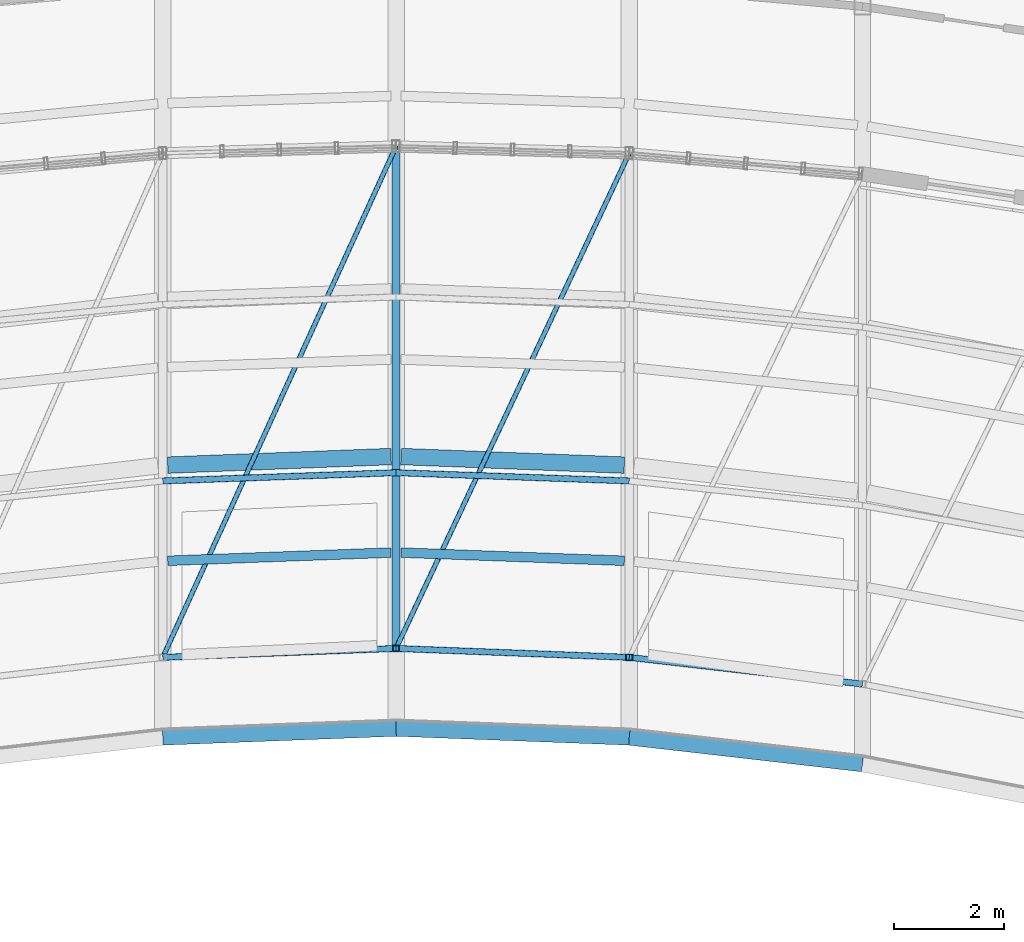
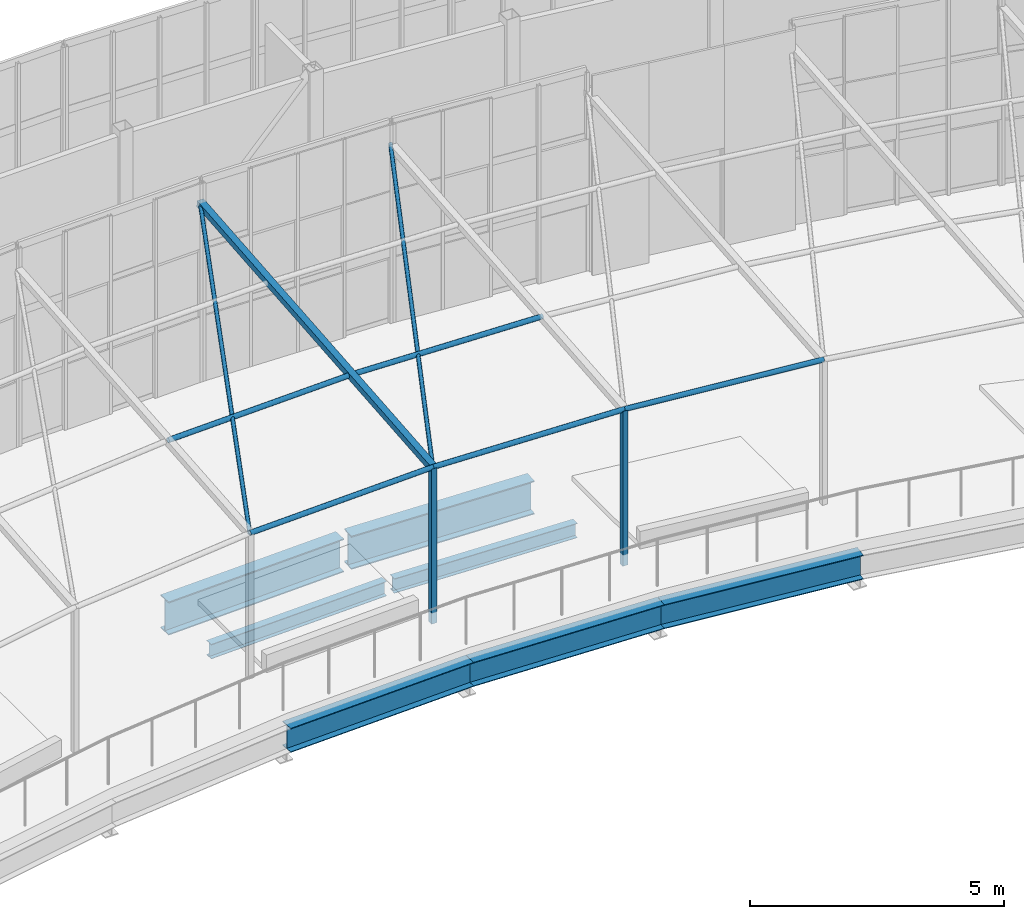
# One storey, part 15 of 35: 10 members, 7 beams.
"""IFC4 building model written with IfcOpenShell, lengths in metres."""

from ifc_helpers import new_model, si_unit, direction, frame, origin, origin_2d, place, context, subcontext, project, spatial, hollow_rectangle, hollow_circle, i_section, extrude, material, material_profile, profile_set, type_object, element, save


model = new_model("IFC4")

# Units and contexts
model_context = context("Model", 3, precision=1e-05, world=origin(), true_north=direction((0.0, 1.0)))
body_context = subcontext(model_context, "Body", "Model", "MODEL_VIEW")
ifc_project = project(units=[si_unit("LENGTHUNIT", "METRE"), si_unit("AREAUNIT", "SQUARE_METRE"), si_unit("VOLUMEUNIT", "CUBIC_METRE"), si_unit("PLANEANGLEUNIT", "RADIAN"), si_unit("MASSUNIT", "GRAM", prefix="KILO")], contexts=[model_context])

# Site, building, storey
site_placement = place(None, origin())
site = spatial("IfcSite", under=ifc_project, at=site_placement, CompositionType="ELEMENT")
building_placement = place(site_placement, origin())
building = spatial("IfcBuilding", under=site, at=building_placement, Name="Solvikara Media Centre", CompositionType="ELEMENT")
storey_placement = place(building_placement, frame((0.0, 0.0, 29.39990234375)))
storey = spatial("IfcBuildingStorey", under=building, at=storey_placement, Name="L06", CompositionType="ELEMENT", Elevation=29.39990234375)

# Beams
ifc_material = material(Name="Steel S355JR", Category="steel")
ifc_material_profile_1 = material_profile(ifc_material, i_section(OverallWidth=0.300048828125, OverallDepth=0.800048828125, WebThickness=0.013916015625, FlangeThickness=0.02587890625, at=origin_2d()), Name="WF 800x300x14x26")
ifc_profile_set_1 = profile_set([ifc_material_profile_1], Name="Steel S355JR")
beam_type_1 = type_object("IfcBeamType", Name="BM-16", PredefinedType="BEAM", material=ifc_profile_set_1)
for number, where, z_axis, x_axis, name in (
    (1, (97.840087890625, 30.258056640625, -0.671875), (0.999266124753, 0.038304202383, 0.0), (-0.038304202383, 0.999266124753, 0.0), "B-L06-SPNS-05"),
    (2, (102.090087890625, 30.4140625, -0.671875), (0.999266124753, -0.038304202383, 0.0), (0.038304202383, 0.999266124753, 0.0), "B-L06-SPNS-06"),
):
    element("IfcBeam", number, at=place(storey_placement, frame(where, z_axis=z_axis, x_axis=x_axis)), inside=storey, type_object=beam_type_1, Name=name, PredefinedType="BEAM", context=body_context, shape_type="SweptSolid", body=[
        extrude(i_section(OverallWidth=0.300048828125, OverallDepth=0.800048828125, WebThickness=0.013916015625, FlangeThickness=0.02587890625, at=origin_2d()), origin(), (0.0, 0.0, 1.0), 4.07275390625),
    ])
ifc_material_profile_2 = material_profile(ifc_material, i_section(OverallWidth=0.175048828125, OverallDepth=0.35009765625, WebThickness=0.007080078125, FlangeThickness=0.010986328125, at=origin_2d()), Name="WF 350x175x7x11")
ifc_profile_set_2 = profile_set([ifc_material_profile_2], Name="Steel S355JR")
beam_type_2 = type_object("IfcBeamType", Name="BM-22", PredefinedType="JOIST", material=ifc_profile_set_2)
for number, where, z_axis, x_axis, name in (
    (3, (97.840087890625, 28.514892578125, -0.447021484375), (0.999328966943, 0.036628074313, 0.0), (-0.036628074313, 0.999328966943, 0.0), "BJ-L06-05-20"),
    (4, (102.090087890625, 28.6640625, -0.447021484375), (0.999328966943, -0.036628074313, 0.0), (0.036628074313, 0.999328966943, 0.0), "BJ-L06-06-20"),
):
    element("IfcBeam", number, at=place(storey_placement, frame(where, z_axis=z_axis, x_axis=x_axis)), inside=storey, type_object=beam_type_2, Name=name, PredefinedType="JOIST", context=body_context, shape_type="SweptSolid", body=[
        extrude(i_section(OverallWidth=0.175048828125, OverallDepth=0.35009765625, WebThickness=0.007080078125, FlangeThickness=0.010986328125, at=origin_2d()), origin(), (0.0, 0.0, 1.0), 4.072509765625),
    ])
ifc_material_profile_3 = material_profile(ifc_material, i_section(OverallWidth=0.300048828125, OverallDepth=0.58203125, WebThickness=0.011962890625, FlangeThickness=0.01708984375, at=origin_2d()), Name="WF 582x300x12x17")
ifc_profile_set_3 = profile_set([ifc_material_profile_3], Name="Steel S355JR")
beam_type_3 = type_object("IfcBeamType", Name="BM-31", PredefinedType="SPANDREL", material=ifc_profile_set_3)
for number, where, z_axis, x_axis, name in (
    (5, (97.75, 25.304931640625, -0.56298828125), (0.999273334025, 0.038115664855, 0.0), (-0.038115664855, 0.999273334025, 0.0), "B-L06-SARC-05"),
    (6, (102.0, 25.467041015625, -0.56298828125), (0.999273334025, -0.038115664855, 0.0), (0.038115664855, 0.999273334025, 0.0), "B-L06-SARC-06"),
):
    element("IfcBeam", number, at=place(storey_placement, frame(where, z_axis=z_axis, x_axis=x_axis)), inside=storey, type_object=beam_type_3, Name=name, PredefinedType="SPANDREL", context=body_context, shape_type="SweptSolid", body=[
        extrude(i_section(OverallWidth=0.300048828125, OverallDepth=0.58203125, WebThickness=0.011962890625, FlangeThickness=0.01708984375, at=origin_2d()), origin(), (0.0, 0.0, 1.0), 4.253173828125),
    ])
beam_placement = place(storey_placement, frame((106.25, 25.304931640625, -0.56298828125), z_axis=(0.993503575407, -0.113800903571, 0.0), x_axis=(0.113800903571, 0.993503575407, 0.0)))
element("IfcBeam", 7, at=beam_placement, inside=storey, type_object=beam_type_3, Name="B-L06-SARC-07", PredefinedType="SPANDREL", context=body_context, shape_type="SweptSolid", body=[
    extrude(i_section(OverallWidth=0.300048828125, OverallDepth=0.58203125, WebThickness=0.011962890625, FlangeThickness=0.01708984375, at=origin_2d()), origin(), (0.0, 0.0, 1.0), 4.27783203125),
])

# Members
ifc_material_profile_4 = material_profile(ifc_material, hollow_circle(Radius=0.05712890625, WallThickness=0.006103515625, at=origin_2d()), Name="CHS 114.3x6")
ifc_profile_set_4 = profile_set([ifc_material_profile_4], Name="Steel S355JR")
member_type_1 = type_object("IfcMemberType", Name="MB-09", PredefinedType="BRACE", material=ifc_profile_set_4)
member_1_placement = place(storey_placement, frame((97.75, 26.7548828125, 3.4501953125), z_axis=(0.999273334025, 0.038115664855, 0.0), x_axis=(-0.038115664855, 0.999273334025, 0.0)))
element("IfcMember", 8, at=member_1_placement, inside=storey, type_object=member_type_1, Name="PERG-LVR-06-0", PredefinedType="BRACE", context=body_context, shape_type="SweptSolid", body=[
    extrude(hollow_circle(Radius=0.05712890625, WallThickness=0.006103515625, at=origin_2d()), origin(), (0.0, 0.0, 1.0), 4.253173828125),
])
member_2_placement = place(storey_placement, frame((97.75, 29.969970703125, 3.72998046875), z_axis=(0.999376529116, 0.035306558215, 0.0), x_axis=(-0.035306558215, 0.999376529116, 0.0)))
element("IfcMember", 9, at=member_2_placement, inside=storey, type_object=member_type_1, Name="PERG-LVR-06-35", PredefinedType="BRACE", context=body_context, shape_type="SweptSolid", body=[
    extrude(hollow_circle(Radius=0.05712890625, WallThickness=0.006103515625, at=origin_2d()), origin(), (0.0, 0.0, 1.0), 4.252685546875),
])
member_3_placement = place(storey_placement, frame((102.0, 26.9169921875, 3.4501953125), z_axis=(0.999273334025, -0.038115664855, 0.0), x_axis=(0.038115664855, 0.999273334025, 0.0)))
element("IfcMember", 10, at=member_3_placement, inside=storey, type_object=member_type_1, Name="PERG-LVR-07-0", PredefinedType="BRACE", context=body_context, shape_type="SweptSolid", body=[
    extrude(hollow_circle(Radius=0.05712890625, WallThickness=0.006103515625, at=origin_2d()), origin(), (0.0, 0.0, 1.0), 4.253173828125),
])
member_4_placement = place(storey_placement, frame((102.0, 30.1201171875, 3.72998046875), z_axis=(0.999376529116, -0.035306558215, 0.0), x_axis=(0.035306558215, 0.999376529116, 0.0)))
element("IfcMember", 11, at=member_4_placement, inside=storey, type_object=member_type_1, Name="PERG-LVR-07-35", PredefinedType="BRACE", context=body_context, shape_type="SweptSolid", body=[
    extrude(hollow_circle(Radius=0.05712890625, WallThickness=0.006103515625, at=origin_2d()), origin(), (0.0, 0.0, 1.0), 4.252685546875),
])
member_5_placement = place(storey_placement, frame((106.25, 26.7548828125, 3.4501953125), z_axis=(0.993503575407, -0.113800903571, 0.0), x_axis=(0.113800903571, 0.993503575407, 0.0)))
element("IfcMember", 12, at=member_5_placement, inside=storey, type_object=member_type_1, Name="PERG-LVR-08-0", PredefinedType="BRACE", context=body_context, shape_type="SweptSolid", body=[
    extrude(hollow_circle(Radius=0.05712890625, WallThickness=0.006103515625, at=origin_2d()), origin(), (0.0, 0.0, 1.0), 4.27783203125),
])
ifc_material_profile_5 = material_profile(ifc_material, hollow_circle(Radius=0.04443359375, WallThickness=0.0048828125, at=origin_2d()), Name="CHS 88.9x5")
ifc_profile_set_5 = profile_set([ifc_material_profile_5], Name="Steel S355JR")
member_type_2 = type_object("IfcMemberType", Name="MB-10", PredefinedType="BRACE", material=ifc_profile_set_5)
member_6_placement = place(storey_placement, frame((97.75, 26.7548828125, 3.4501953125), z_axis=(0.413938840678, 0.906965490644, 0.077898876497), x_axis=(-0.909729918271, 0.415200524809, 0.0)))
element("IfcMember", 13, at=member_6_placement, inside=storey, type_object=member_type_2, Name="PERG-BR-06", PredefinedType="BRACE", context=body_context, shape_type="SweptSolid", body=[
    extrude(hollow_circle(Radius=0.04443359375, WallThickness=0.0048828125, at=origin_2d()), origin(), (0.0, 0.0, 1.0), 10.267333984375),
])
member_7_placement = place(storey_placement, frame((102.0, 26.9169921875, 3.4501953125), z_axis=(0.424716757311, 0.901791175536, 0.079927165496), x_axis=(-0.904685530192, 0.42607991206, 0.0)))
element("IfcMember", 14, at=member_7_placement, inside=storey, type_object=member_type_2, Name="PERG-BR-07", PredefinedType="BRACE", context=body_context, shape_type="SweptSolid", body=[
    extrude(hollow_circle(Radius=0.04443359375, WallThickness=0.0048828125, at=origin_2d()), origin(), (0.0, 0.0, 1.0), 10.006591796875),
])
ifc_material_profile_6 = material_profile(ifc_material, hollow_rectangle(XDim=0.14990234375, YDim=0.14990234375, WallThickness=0.00634765625, at=origin_2d()), Name="RHS 150x150x6.3")
ifc_profile_set_6 = profile_set([ifc_material_profile_6], Name="Steel S355JR")
member_type_3 = type_object("IfcMemberType", Name="MB-15", PredefinedType="BRACE", material=ifc_profile_set_6)
member_8_placement = place(storey_placement, frame((102.0, 26.9169921875, 3.4501953125), z_axis=(0.0, 0.996201388275, 0.087079239767), x_axis=(-1.0, 0.0, 0.0)))
element("IfcMember", 15, at=member_8_placement, inside=storey, type_object=member_type_3, Name="PERG-RIB-06", PredefinedType="BRACE", context=body_context, shape_type="SweptSolid", body=[
    extrude(hollow_rectangle(XDim=0.14990234375, YDim=0.14990234375, WallThickness=0.00634765625, at=origin_2d()), origin(), (0.0, 0.0, 1.0), 9.184814453125),
])
ifc_material_profile_7 = material_profile(ifc_material, hollow_rectangle(XDim=0.1201171875, YDim=0.1201171875, WallThickness=0.006103515625, at=origin_2d()), Name="RHS 120x120x6")
ifc_profile_set_7 = profile_set([ifc_material_profile_7], Name="Steel S355JR")
member_type_4 = type_object("IfcMemberType", Name="MB-24", PredefinedType="POST", material=ifc_profile_set_7)
for number, where, z_axis, x_axis, name in (
    (16, (102.0, 26.9169921875, -0.27001953125), (0.0, 0.0, 1.0), (1.0, 0.0, 0.0), "PERG-PST-06"),
    (17, (106.25, 26.7548828125, -0.27001953125), (0.0, 0.0, 1.0), (1.0, 0.0, 0.0), "PERG-PST-07"),
):
    element("IfcMember", number, at=place(storey_placement, frame(where, z_axis=z_axis, x_axis=x_axis)), inside=storey, type_object=member_type_4, Name=name, PredefinedType="POST", context=body_context, shape_type="SweptSolid", body=[
        extrude(hollow_rectangle(XDim=0.1201171875, YDim=0.1201171875, WallThickness=0.006103515625, at=origin_2d()), origin(), (0.0, 0.0, 1.0), 3.72021484375),
    ])

save(model, "model.ifc")
